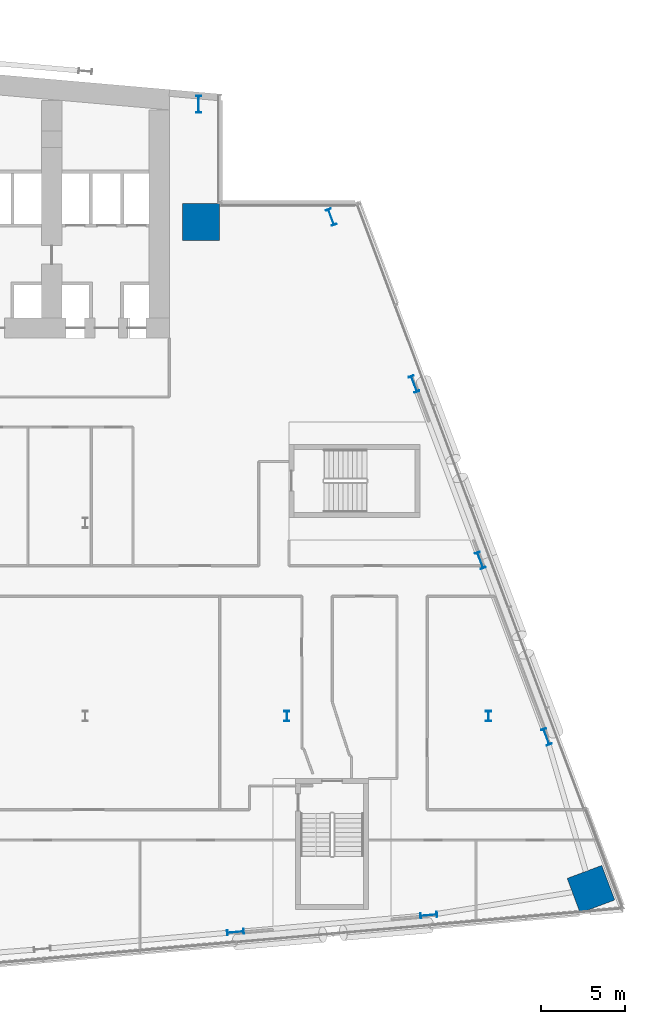
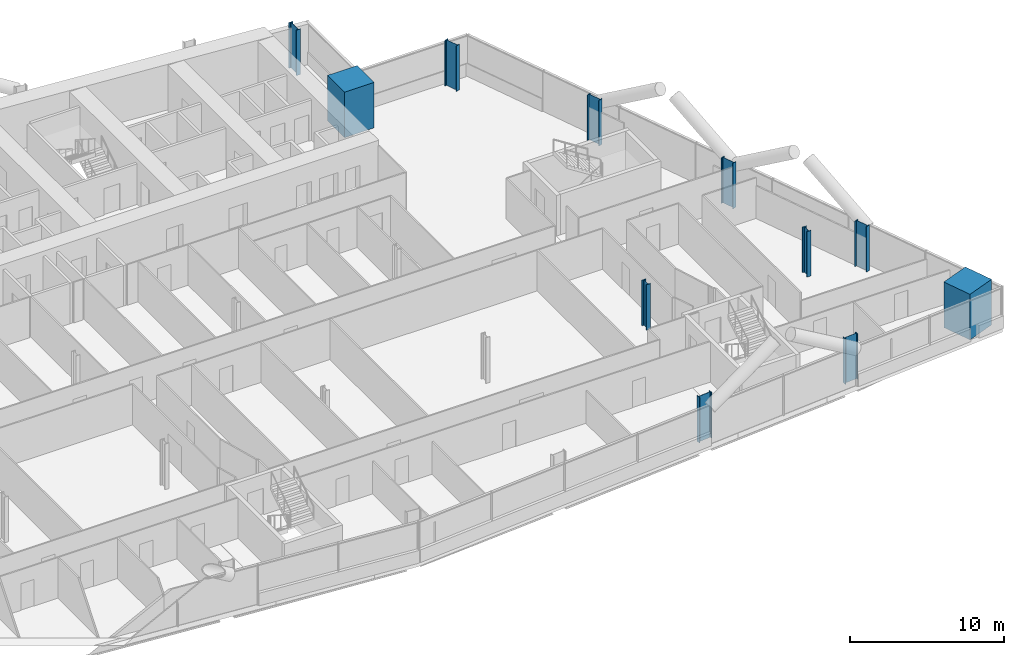
# One storey, part 3 of 28: 11 columns.
"""IFC4 building model written with IfcOpenShell, lengths in metres."""

from ifc_helpers import new_model, si_unit, direction, frame, origin, origin_2d, place, context, subcontext, project, spatial, rectangle, i_section, extrude, material, material_profile, profile_set, type_object, element, save


model = new_model("IFC4")

# Units and contexts
model_context = context("Model", 3, precision=1e-05, world=origin(), true_north=direction((0.0, 1.0)))
body_context = subcontext(model_context, "Body", "Model", "MODEL_VIEW")
ifc_project = project(units=[si_unit("LENGTHUNIT", "METRE"), si_unit("AREAUNIT", "SQUARE_METRE"), si_unit("VOLUMEUNIT", "CUBIC_METRE"), si_unit("PLANEANGLEUNIT", "RADIAN"), si_unit("MASSUNIT", "GRAM", prefix="KILO")], contexts=[model_context])

# Site, building, storey
site_placement = place(None, origin())
site = spatial("IfcSite", under=ifc_project, at=site_placement, CompositionType="ELEMENT")
building_placement = place(site_placement, origin())
building = spatial("IfcBuilding", under=site, at=building_placement, Name="Wharfspan Tower", CompositionType="ELEMENT")
storey_placement = place(building_placement, frame((0.0, 0.0, 52.300049)))
storey = spatial("IfcBuildingStorey", under=building, at=storey_placement, Name="L09", CompositionType="ELEMENT", Elevation=52.300049)

# Columns
ifc_material_1 = material(Name="Steel S355J2", Category="steel")
ifc_material_profile_1 = material_profile(ifc_material_1, i_section(OverallWidth=0.302002, OverallDepth=1.008057, WebThickness=0.020996, FlangeThickness=0.040039, FilletRadius=0.030029, at=origin_2d()))
ifc_profile_set_1 = profile_set([ifc_material_profile_1], Name="Steel S355J2")
column_type_1 = type_object("IfcColumnType", Name="Column HEM 1000", PredefinedType="COLUMN", material=ifc_profile_set_1)
for number, where, z_axis, x_axis, name in (
    (1, (68.942383, -1.354736, 0.0), (0.0, 0.0, 1.0), (0.087156, -0.996198, 0.0), "Perimeter column PS2.2 L09"),
    (2, (80.442383, -0.348633, 0.0), (0.0, 0.0, 1.0), (0.087156, -0.996198, 0.0), "Perimeter column PS2.3 L09"),
    (3, (87.44458, 10.268311, 0.0), (0.0, 0.0, 1.0), (0.936328, 0.351123, 0.0), "Perimeter column PE.1 L09"),
    (4, (83.50708, 20.768311, 0.0), (0.0, 0.0, 1.0), (0.936328, 0.351123, 0.0), "Perimeter column PE.2 L09"),
    (5, (79.56958, 31.268311, 0.0), (0.0, 0.0, 1.0), (0.936328, 0.351123, 0.0), "Perimeter column PE.3 L09"),
    (6, (74.634277, 41.196289, 0.0), (0.0, 0.0, 1.0), (0.936328, 0.351123, 0.0), "Perimeter column PE.4 L09"),
    (7, (66.747803, 47.915283, 0.0), (0.0, 0.0, 1.0), (1.0, 0.0, 0.0), "Perimeter column PNRE-V.1 L09"),
):
    element("IfcColumn", number, at=place(storey_placement, frame(where, z_axis=z_axis, x_axis=x_axis)), inside=storey, type_object=column_type_1, Name=name, PredefinedType="COLUMN", context=body_context, shape_type="SweptSolid", body=[
        extrude(i_section(OverallWidth=0.302002, OverallDepth=1.008057, WebThickness=0.020996, FlangeThickness=0.040039, FilletRadius=0.030029, at=origin_2d()), origin(), (0.0, 0.0, 1.0), 3.599854),
    ])
ifc_material_profile_2 = material_profile(ifc_material_1, i_section(OverallWidth=0.304932, OverallDepth=0.620117, WebThickness=0.020996, FlangeThickness=0.040039, FilletRadius=0.0271, at=origin_2d()))
ifc_profile_set_2 = profile_set([ifc_material_profile_2], Name="Steel S355J2")
column_type_2 = type_object("IfcColumnType", Name="Column HEM 600", PredefinedType="COLUMN", material=ifc_profile_set_2)
for number, where, z_axis, x_axis, name in (
    (8, (72.0, 11.5, 0.0), (0.0, 0.0, 1.0), (1.0, 0.0, 0.0), "Interior column I.1.6 L09"),
    (9, (84.0, 11.5, 0.0), (0.0, 0.0, 1.0), (1.0, 0.0, 0.0), "Interior column I.1.7 L09"),
):
    element("IfcColumn", number, at=place(storey_placement, frame(where, z_axis=z_axis, x_axis=x_axis)), inside=storey, type_object=column_type_2, Name=name, PredefinedType="COLUMN", context=body_context, shape_type="SweptSolid", body=[
        extrude(i_section(OverallWidth=0.304932, OverallDepth=0.620117, WebThickness=0.020996, FlangeThickness=0.040039, FilletRadius=0.0271, at=origin_2d()), origin(), (0.0, 0.0, 1.0), 3.599854),
    ])
ifc_material_2 = material(Name="Concrete C70/85", Category="concrete")
ifc_material_profile_3 = material_profile(ifc_material_2, rectangle(XDim=2.199951, YDim=2.199951, at=origin_2d()))
ifc_profile_set_3 = profile_set([ifc_material_profile_3], Name="Concrete C70/85")
column_type_3 = type_object("IfcColumnType", Name="Mega column 2200 C70/85", PredefinedType="COLUMN", material=ifc_profile_set_3)
for number, where, z_axis, x_axis, name in (
    (10, (66.899902, 40.899902, 0.0), (0.0, 0.0, 1.0), (1.0, 0.0, 0.0), "Mega column MC3 L09"),
    (11, (90.096436, 1.199707, 0.0), (0.0, 0.0, 1.0), (-0.351123, 0.936328, 0.0), "Mega column MC4 L09"),
):
    element("IfcColumn", number, at=place(storey_placement, frame(where, z_axis=z_axis, x_axis=x_axis)), inside=storey, type_object=column_type_3, Name=name, PredefinedType="COLUMN", context=body_context, shape_type="SweptSolid", body=[
        extrude(rectangle(XDim=2.199951, YDim=2.199951, at=origin_2d()), origin(), (0.0, 0.0, 1.0), 3.599854),
    ])

save(model, "model.ifc")
